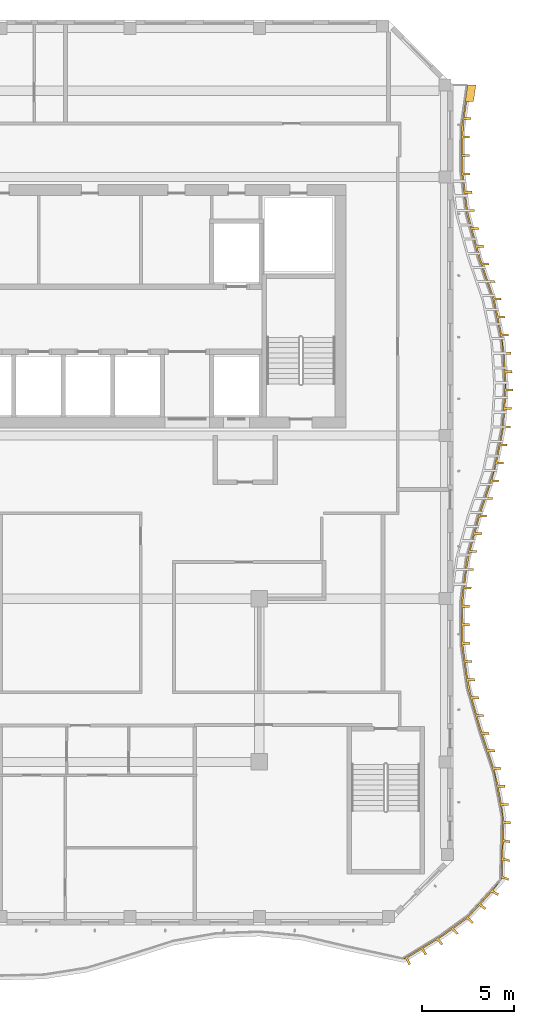
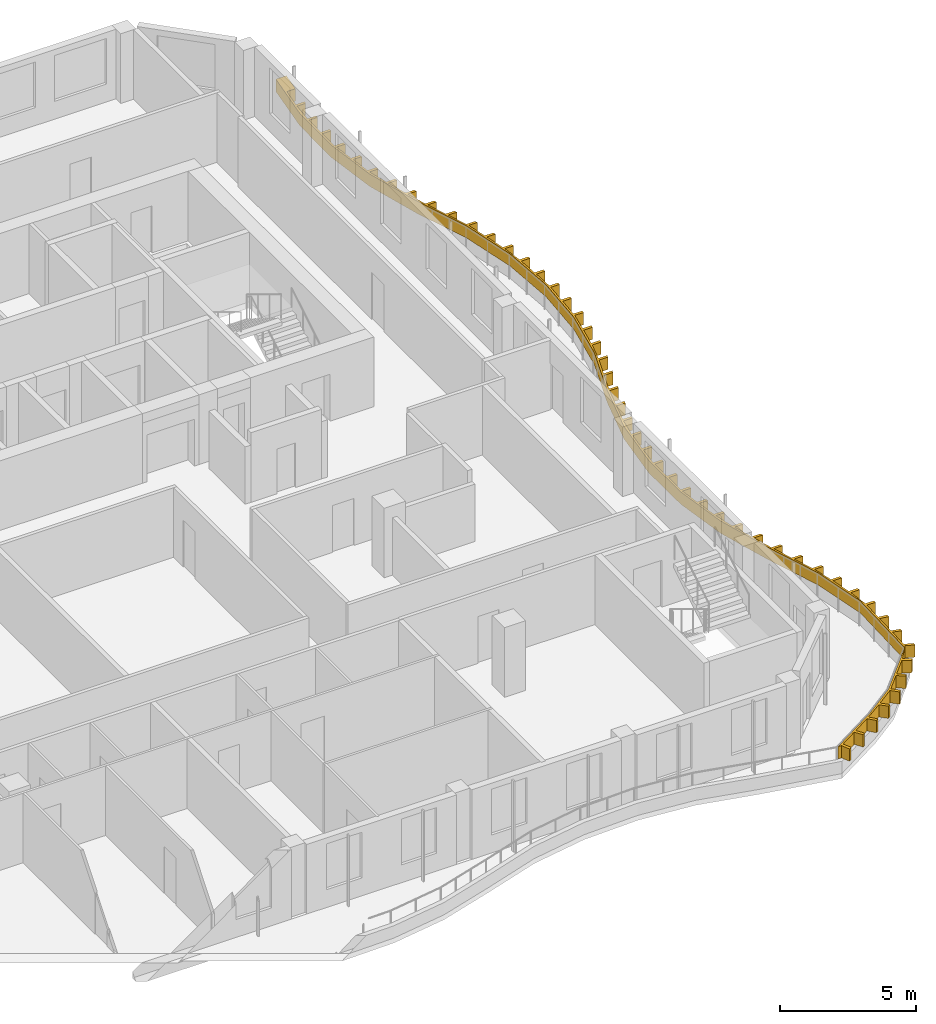
# One storey, part 17 of 18: 1 shading device.
"""IFC4 building model written with IfcOpenShell, lengths in metres."""

from ifc_helpers import new_model, si_unit, direction, frame, origin, place, context, subcontext, project, spatial, polyline, outline, extrude, source, transform, mapped, material, layer, layer_set, type_object, element, save


model = new_model("IFC4")

# Units and contexts
model_context = context("Model", 3, precision=1e-05, world=origin(), true_north=direction((0.0, 1.0)))
body_context = subcontext(model_context, "Body", "Model", "MODEL_VIEW")
ifc_project = project(units=[si_unit("LENGTHUNIT", "METRE"), si_unit("AREAUNIT", "SQUARE_METRE"), si_unit("VOLUMEUNIT", "CUBIC_METRE"), si_unit("PLANEANGLEUNIT", "RADIAN"), si_unit("MASSUNIT", "GRAM", prefix="KILO")], contexts=[model_context])

# Site, building, storey
site_placement = place(None, origin())
site = spatial("IfcSite", under=ifc_project, at=site_placement, CompositionType="ELEMENT")
building_placement = place(site_placement, origin())
building = spatial("IfcBuilding", under=site, at=building_placement, Name="Kilnfold Tower and Market Hall", CompositionType="ELEMENT")
storey_placement = place(building_placement, frame((0.0, 0.0, 280.60009765625)))
storey = spatial("IfcBuildingStorey", under=building, at=storey_placement, Name="L69", CompositionType="ELEMENT", Elevation=280.60009765625)

# Shading device
ifc_material = material(Name="Bronze anodised aluminium", Category="aluminium")
ifc_layer = layer(ifc_material, 0.550048828125)
ifc_layer_set = layer_set([ifc_layer], Name="Bronze anodised aluminium")
shading_device_type = type_object("IfcShadingDeviceType", Name="BRONZE SLAT FASCIA 550", PredefinedType="USERDEFINED", material=ifc_layer_set)
shared_shape = source(origin(), body_context, "Body", "SweptSolid", [
    extrude(outline(polyline([(21.08740234375, -20.6787109375), (20.937744140625, -20.341552734375), (20.8037109375, -20.331787109375), (22.888427734375, -19.054931640625), (24.239990234375, -18.0732421875), (26.085205078125, -16.07080078125), (26.1748046875, -12.666748046875), (25.730224609375, -10.333251953125), (24.949462890625, -8.0), (24.28076171875, -5.666748046875), (23.94775390625, -3.333251953125), (23.931396484375, -1.0), (24.230712890625, 1.333251953125), (24.86279296875, 3.666748046875), (25.66455078125, 6.0), (26.1435546875, 8.333251953125), (26.300048828125, 10.666748046875), (26.142333984375, 13.0), (25.662109375, 15.333251953125), (24.85986328125, 17.666748046875), (24.22900390625, 20.0), (23.930908203125, 22.333251953125), (23.948486328125, 24.666748046875), (24.282470703125, 27.0), (24.732421875, 27.0), (24.603515625, 26.098876953125), (24.2333984375, 26.098876953125), (24.108642578125, 25.227783203125), (24.478759765625, 25.227783203125), (24.461669921875, 25.10888671875), (24.091796875, 25.10888671875), (24.025146484375, 24.2333984375), (24.39501953125, 24.2333984375), (24.394287109375, 24.113525390625), (24.024169921875, 24.113525390625), (24.017578125, 23.233642578125), (24.3876953125, 23.233642578125), (24.38671875, 23.113525390625), (24.0166015625, 23.113525390625), (24.0234375, 22.234375), (24.393310546875, 22.234375), (24.40869140625, 22.115478515625), (24.038818359375, 22.115478515625), (24.150146484375, 21.242431640625), (24.520263671875, 21.242431640625), (24.535400390625, 21.123291015625), (24.165283203125, 21.123291015625), (24.277099609375, 20.25048828125), (24.64697265625, 20.25048828125), (24.662109375, 20.131591796875), (24.292236328125, 20.131591796875), (24.504150390625, 19.278564453125), (24.8740234375, 19.278564453125), (24.905517578125, 19.16259765625), (24.535400390625, 19.16259765625), (24.76513671875, 18.31298828125), (25.135009765625, 18.31298828125), (25.16650390625, 18.197265625), (24.79638671875, 18.197265625), (25.04736328125, 17.354248046875), (25.417236328125, 17.354248046875), (25.456298828125, 17.24072265625), (25.086181640625, 17.24072265625), (25.372314453125, 16.40869140625), (25.742431640625, 16.40869140625), (25.781494140625, 16.295166015625), (25.411376953125, 16.295166015625), (25.697509765625, 15.462890625), (26.0673828125, 15.462890625), (26.1064453125, 15.349609375), (25.736572265625, 15.349609375), (25.916015625, 14.488037109375), (26.2861328125, 14.488037109375), (26.310302734375, 14.37060546875), (25.940185546875, 14.37060546875), (26.11767578125, 13.5087890625), (26.48779296875, 13.5087890625), (26.511962890625, 13.39111328125), (26.141845703125, 13.39111328125), (26.2548828125, 12.5205078125), (26.624755859375, 12.5205078125), (26.6328125, 12.400634765625), (26.262939453125, 12.400634765625), (26.322265625, 11.522705078125), (26.692138671875, 11.522705078125), (26.7001953125, 11.403076171875), (26.330322265625, 11.403076171875), (26.37060546875, 10.52490234375), (26.740478515625, 10.52490234375), (26.732421875, 10.4052734375), (26.362548828125, 10.4052734375), (26.3037109375, 9.527099609375), (26.673583984375, 9.527099609375), (26.66552734375, 9.407470703125), (26.295654296875, 9.407470703125), (26.23681640625, 8.529296875), (26.606689453125, 8.529296875), (26.5986328125, 8.40966796875), (26.228759765625, 8.40966796875), (26.06201171875, 7.54638671875), (26.431884765625, 7.54638671875), (26.407958984375, 7.4287109375), (26.037841796875, 7.4287109375), (25.86083984375, 6.566650390625), (26.23095703125, 6.566650390625), (26.206787109375, 6.44921875), (25.836669921875, 6.44921875), (25.607666015625, 5.601318359375), (25.9775390625, 5.601318359375), (25.938720703125, 5.48779296875), (25.568603515625, 5.48779296875), (25.28271484375, 4.65576171875), (25.652587890625, 4.65576171875), (25.61376953125, 4.542236328125), (25.24365234375, 4.542236328125), (24.957763671875, 3.7099609375), (25.327880859375, 3.7099609375), (25.29345703125, 3.594970703125), (24.923583984375, 3.594970703125), (24.693359375, 2.74560546875), (25.063232421875, 2.74560546875), (25.031982421875, 2.6298828125), (24.662109375, 2.6298828125), (24.431884765625, 1.780517578125), (24.8017578125, 1.780517578125), (24.7705078125, 1.66455078125), (24.400390625, 1.66455078125), (24.242431640625, 0.80078125), (24.6123046875, 0.80078125), (24.59716796875, 0.681884765625), (24.22705078125, 0.681884765625), (24.115234375, -0.19091796875), (24.485107421875, -0.19091796875), (24.469970703125, -0.31005859375), (24.099853515625, -0.31005859375), (24.0126953125, -1.184326171875), (24.3828125, -1.184326171875), (24.383544921875, -1.30419921875), (24.013427734375, -1.30419921875), (24.019775390625, -2.184326171875), (24.3896484375, -2.184326171875), (24.390380859375, -2.30419921875), (24.0205078125, -2.30419921875), (24.026611328125, -3.184326171875), (24.396728515625, -3.184326171875), (24.3974609375, -3.30419921875), (24.027587890625, -3.30419921875), (24.14794921875, -4.17578125), (24.517822265625, -4.17578125), (24.534912109375, -4.294677734375), (24.164794921875, -4.294677734375), (24.289306640625, -5.165771484375), (24.6591796875, -5.165771484375), (24.67626953125, -5.284423828125), (24.30615234375, -5.284423828125), (24.496826171875, -6.1416015625), (24.86669921875, -6.1416015625), (24.89990234375, -6.2568359375), (24.52978515625, -6.2568359375), (24.772216796875, -7.102783203125), (25.142333984375, -7.102783203125), (25.17529296875, -7.21826171875), (24.805419921875, -7.21826171875), (25.05078125, -8.063232421875), (25.420654296875, -8.063232421875), (25.458740234375, -8.177001953125), (25.088623046875, -8.177001953125), (25.367919921875, -9.01171875), (25.738037109375, -9.01171875), (25.776123046875, -9.12548828125), (25.406005859375, -9.12548828125), (25.685302734375, -9.9599609375), (26.055419921875, -9.9599609375), (26.093505859375, -10.07373046875), (25.723388671875, -10.07373046875), (25.923583984375, -10.9287109375), (26.293701171875, -10.9287109375), (26.316162109375, -11.046630859375), (25.9462890625, -11.046630859375), (26.11083984375, -11.9111328125), (26.480712890625, -11.9111328125), (26.50341796875, -12.029052734375), (26.13330078125, -12.029052734375), (26.247802734375, -12.894287109375), (26.616455078125, -12.90380859375), (26.6123046875, -13.027099609375), (26.244140625, -13.0126953125), (26.21875, -13.880615234375), (26.5810546875, -13.930908203125), (26.57666015625, -14.05419921875), (26.215576171875, -13.998779296875), (26.19140625, -14.86669921875), (26.54541015625, -14.9580078125), (26.541259765625, -15.0810546875), (26.188232421875, -14.985107421875), (26.16552734375, -15.853271484375), (26.510009765625, -15.98486328125), (26.505615234375, -16.108154296875), (26.162353515625, -15.9716796875), (25.65966796875, -16.642822265625), (25.981689453125, -16.8173828125), (25.898193359375, -16.909423828125), (25.57958984375, -16.729736328125), (24.994140625, -17.36669921875), (25.28759765625, -17.584716796875), (25.20458984375, -17.6767578125), (24.91455078125, -17.453857421875), (24.33056640625, -18.09228515625), (24.593994140625, -18.351806640625), (24.55810546875, -18.3916015625), (24.502685546875, -18.431640625), (24.2412109375, -18.170166015625), (23.529052734375, -18.687255859375), (23.790771484375, -18.948974609375), (23.693603515625, -19.019287109375), (23.431884765625, -18.7578125), (22.711669921875, -19.253662109375), (22.9609375, -19.524658203125), (22.854736328125, -19.58984375), (22.611083984375, -19.31494140625), (21.8740234375, -19.765380859375), (22.0771484375, -20.069091796875), (21.97119140625, -20.134521484375), (21.773681640625, -19.8271484375), (21.0380859375, -20.27978515625), (21.193359375, -20.613525390625), (21.08740234375, -20.6787109375)])), origin(), (0.0, 0.0, 1.0), 0.550048828125),
])
shading_device_placement = place(storey_placement, frame((0.0, 0.0, 0.5498046875)))
element("IfcShadingDevice", 1, at=shading_device_placement, inside=storey, type_object=shading_device_type, Name="Balcony slat fascia L69", ObjectType="SLAT", PredefinedType="USERDEFINED", context=body_context, shape_type="MappedRepresentation", body=[
    mapped(shared_shape, transform((0.0, 0.0, 0.0))),
])

save(model, "model.ifc")
